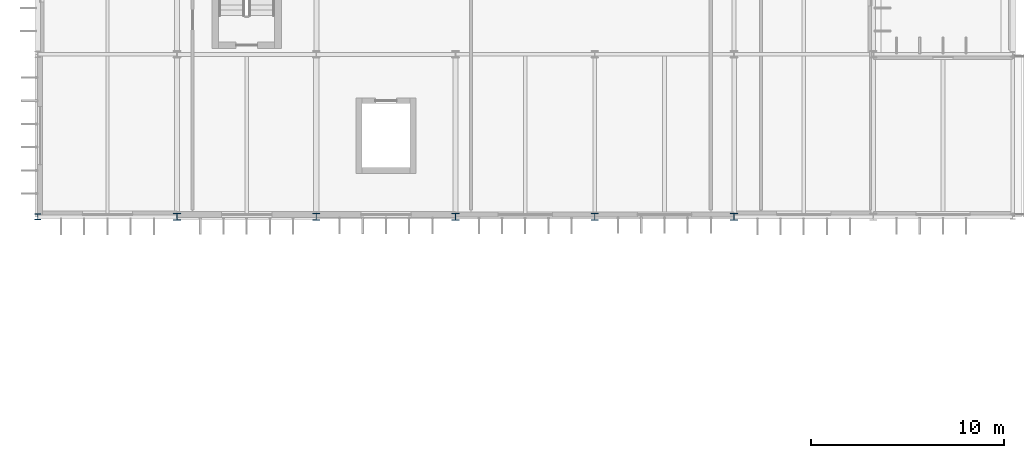
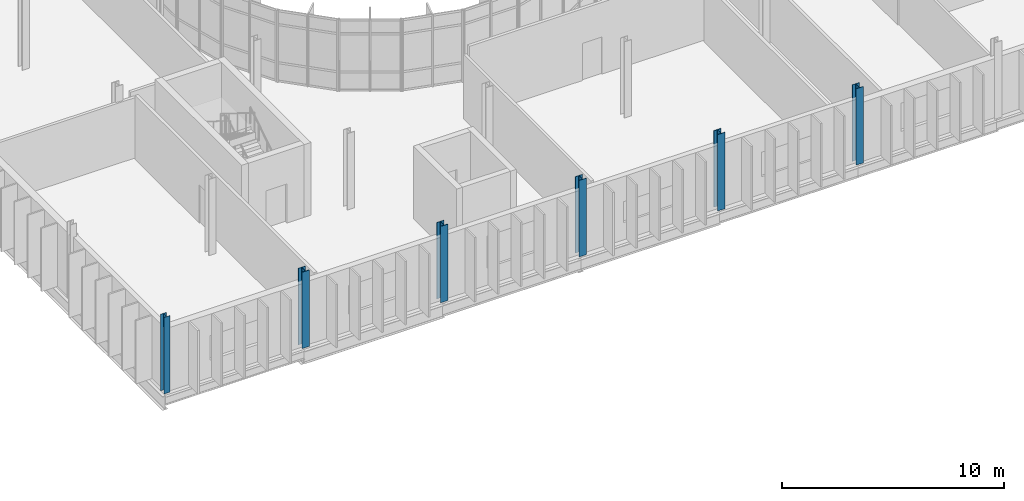
# One storey, part 1 of 99: 6 columns.
"""IFC4 building model written with IfcOpenShell, lengths in metres."""

import ifcopenshell
import ifcopenshell.guid

model = None  # the IFC model being written
_history = None  # IfcOwnerHistory: only IFC2X3 demands one
_inside = {}  # id of a spatial element -> (the spatial element, [elements in it])
_under = {}  # id of a project, library or spatial element -> (it, [spatial elements below it])
_declared = {}  # id of a project -> (the project, [libraries it declares])
_typed = {}  # id of a type object -> (the type object, [elements of that type])
_made_of = {}  # id of a material, layer set ... -> (it, [elements and type objects made of it])


def new_model(schema):
    """Start an empty IFC model of exactly this schema.

    Asked for "IFC4X3", IfcOpenShell would pick the latest addendum, in which some entities
    have other attributes; the version numbers below select the first issue.
    IFC2X3 requires an IfcOwnerHistory on every rooted entity: one is made here for all.
    """
    global model, _history
    if schema == "IFC4X3":
        model = ifcopenshell.file(schema_version=(4, 3, 0, 0))
    else:
        model = ifcopenshell.file(schema=schema)
    _inside.clear()
    _under.clear()
    _declared.clear()
    _typed.clear()
    _made_of.clear()
    _history = None
    if model.schema == "IFC2X3":
        org = make("IfcOrganization", Name="unknown")
        user = make(
            "IfcPersonAndOrganization",
            ThePerson=make("IfcPerson", FamilyName="unknown"),
            TheOrganization=org,
        )
        app = make(
            "IfcApplication",
            ApplicationDeveloper=org,
            Version="unknown",
            ApplicationFullName="unknown",
            ApplicationIdentifier="unknown",
        )
        _history = make(
            "IfcOwnerHistory",
            OwningUser=user,
            OwningApplication=app,
            ChangeAction="ADDED",
            CreationDate=0,
        )
    return model


def make(cls, **values):
    """One entity of the class cls with the attributes given. An attribute that is None is left unset."""
    return model.create_entity(
        cls, **{name: value for name, value in values.items() if value is not None}
    )


def rooted(cls, **values):
    """An entity with a GlobalId (a new one), such as an element, a storey or a relation."""
    return make(cls, GlobalId=ifcopenshell.guid.new(), OwnerHistory=_history, **values)


def si_unit(unit_type, name, prefix=None):
    """IfcSIUnit, for example si_unit("LENGTHUNIT", "METRE", prefix="MILLI")."""
    return make("IfcSIUnit", UnitType=unit_type, Prefix=prefix, Name=name)


def assignment(units):
    """IfcUnitAssignment: the units of a project."""
    return None if units is None else make("IfcUnitAssignment", Units=units)


def point(xyz):
    """IfcCartesianPoint."""
    return None if xyz is None else make("IfcCartesianPoint", Coordinates=xyz)


def direction(xyz):
    """IfcDirection."""
    return None if xyz is None else make("IfcDirection", DirectionRatios=xyz)


def frame(location, z_axis=None, x_axis=None):
    """IfcAxis2Placement3D, a coordinate frame: its origin and axes. An axis left out is left unset."""
    return make(
        "IfcAxis2Placement3D",
        Location=point(location),
        Axis=direction(z_axis),
        RefDirection=direction(x_axis),
    )


def frame_2d(location, x_axis=None):
    """IfcAxis2Placement2D, a coordinate frame in the plane: its origin and x axis."""
    return make(
        "IfcAxis2Placement2D", Location=point(location), RefDirection=direction(x_axis)
    )


def origin():
    """The frame at (0, 0, 0) with its axes left unset."""
    return frame((0.0, 0.0, 0.0))


def origin_2d():
    """The frame at (0, 0) in the plane with its x axis left unset."""
    return frame_2d((0.0, 0.0))


def place(relative_to, where):
    """IfcLocalPlacement: puts the frame where relative to a parent placement (None: the world)."""
    return make(
        "IfcLocalPlacement", PlacementRelTo=relative_to, RelativePlacement=where
    )


def context(
    kind, dimensions, precision=None, world=None, true_north=None, identifier=None
):
    """IfcGeometricRepresentationContext, for example the 3D "Model" context."""
    return make(
        "IfcGeometricRepresentationContext",
        ContextIdentifier=identifier,
        ContextType=kind,
        CoordinateSpaceDimension=dimensions,
        Precision=precision,
        WorldCoordinateSystem=world,
        TrueNorth=true_north,
    )


def subcontext(parent, identifier, kind, view, scale=None):
    """IfcGeometricRepresentationSubContext, for example "Body" below "Model"."""
    return make(
        "IfcGeometricRepresentationSubContext",
        ContextIdentifier=identifier,
        ContextType=kind,
        ParentContext=parent,
        TargetScale=scale,
        TargetView=view,
    )


def project(units=None, contexts=None):
    """IfcProject with its units and contexts."""
    return rooted(
        "IfcProject",
        Name="project",
        RepresentationContexts=contexts,
        UnitsInContext=assignment(units),
    )


def spatial(cls, under=None, at=None, **own):
    """A site, building, storey or space (cls), placed at a placement, below another one or the project."""
    s = rooted(cls, ObjectPlacement=at, **own)
    if under is not None:
        _under.setdefault(under.id(), (under, []))[1].append(s)
    return s


def profile(cls, at=None, kind="AREA", **sizes):
    """A parametric profile (cls). Its sizes go by their IFC names, for example OverallWidth=200.0."""
    return make(cls, ProfileType=kind, Position=at, **sizes)


def i_section(**sizes):
    """IfcIShapeProfileDef."""
    return profile("IfcIShapeProfileDef", **sizes)


def extrude(swept, where, along, depth):
    """IfcExtrudedAreaSolid: the profile swept, set in the frame where, extruded along a direction by depth."""
    return make(
        "IfcExtrudedAreaSolid",
        SweptArea=swept,
        Position=where,
        ExtrudedDirection=direction(along),
        Depth=depth,
    )


def shape(context_of_items, identifier, shape_type, items):
    """IfcShapeRepresentation: the items that make up one representation, for example the "Body"."""
    return make(
        "IfcShapeRepresentation",
        ContextOfItems=context_of_items,
        RepresentationIdentifier=identifier,
        RepresentationType=shape_type,
        Items=items,
    )


def material(Name=None, Category=None):
    """IfcMaterial."""
    return make("IfcMaterial", Name=Name, Category=Category)


def material_profile(
    of_material, cross_section, Name=None, Category=None, Priority=None
):
    """IfcMaterialProfile: a cross section and its material."""
    return make(
        "IfcMaterialProfile",
        Name=Name,
        Material=of_material,
        Profile=cross_section,
        Priority=Priority,
        Category=Category,
    )


def profile_set(profiles, Name=None, composite=None):
    """IfcMaterialProfileSet."""
    return make(
        "IfcMaterialProfileSet",
        Name=Name,
        MaterialProfiles=profiles,
        CompositeProfile=composite,
    )


def made_of(thing, what):
    """Note that an element or type object is made of a material, layer set ...; save() writes the relation."""
    if what is not None:
        _made_of.setdefault(what.id(), (what, []))[1].append(thing)
    return thing


def type_object(cls, material=None, **own):
    """A type object (cls), such as IfcWallType, which elements share."""
    return made_of(rooted(cls, **own), material)


def element(
    cls,
    number,
    at=None,
    inside=None,
    cuts=None,
    type_object=None,
    material=None,
    context=None,
    identifier="Body",
    shape_type=None,
    held_by="IfcProductDefinitionShape",
    body=None,
    shapes=None,
    **own,
):
    """One element of the class cls, such as IfcWall. Its Tag is "e" and its number.

    at: its placement. inside: the storey or other place that contains it. cuts: it is an
    opening in that element (IfcRelVoidsElement). A single representation is given by context,
    identifier, shape_type and body (its items); several are given by shapes. held_by: the class
    of the entity that holds the representations. save() writes the other relations.
    """
    e = rooted(cls, Tag="e%d" % number, ObjectPlacement=at, **own)
    if body is not None:
        shapes = [shape(context, identifier, shape_type, body)]
    if shapes is not None:
        e.Representation = make(held_by, Representations=shapes)
    if inside is not None:
        _inside.setdefault(inside.id(), (inside, []))[1].append(e)
    if cuts is not None:
        rooted(
            "IfcRelVoidsElement", RelatingBuildingElement=cuts, RelatedOpeningElement=e
        )
    if type_object is not None:
        _typed.setdefault(type_object.id(), (type_object, []))[1].append(e)
    return made_of(e, material)


def aggregate(whole, parts):
    """IfcRelAggregates: a whole, such as a stair, and the parts it consists of."""
    return rooted("IfcRelAggregates", RelatingObject=whole, RelatedObjects=parts)


def save(model, path):
    """Write the relations noted so far, then the file.

    IfcRelAggregates (storeys below a building ...), IfcRelContainedInSpatialStructure (elements
    in a storey), IfcRelDefinesByType, IfcRelAssociatesMaterial and IfcRelDeclares: one each for
    every whole, place, type object, material and project.
    """
    for whole, parts in _under.values():
        aggregate(whole, parts)
    for where, things in _inside.values():
        rooted(
            "IfcRelContainedInSpatialStructure",
            RelatedElements=things,
            RelatingStructure=where,
        )
    for kind, things in _typed.values():
        rooted("IfcRelDefinesByType", RelatedObjects=things, RelatingType=kind)
    for what, things in _made_of.values():
        rooted("IfcRelAssociatesMaterial", RelatedObjects=things, RelatingMaterial=what)
    for by, libraries in _declared.values():
        rooted("IfcRelDeclares", RelatingContext=by, RelatedDefinitions=libraries)
    model.write(path)


model = new_model("IFC4")

# Units and contexts
model_context = context("Model", 3, precision=1e-05, world=origin(), true_north=direction((0.0, 1.0)))
body_context = subcontext(model_context, "Body", "Model", "MODEL_VIEW")
ifc_project = project(units=[si_unit("LENGTHUNIT", "METRE"), si_unit("AREAUNIT", "SQUARE_METRE"), si_unit("VOLUMEUNIT", "CUBIC_METRE"), si_unit("PLANEANGLEUNIT", "RADIAN"), si_unit("MASSUNIT", "GRAM", prefix="KILO")], contexts=[model_context])

# Site, building, storey
site_placement = place(None, origin())
site = spatial("IfcSite", under=ifc_project, at=site_placement, CompositionType="ELEMENT")
building_placement = place(site_placement, origin())
building = spatial("IfcBuilding", under=site, at=building_placement, Name="Qelthora Terrace Specialist Clinic", CompositionType="ELEMENT")
storey_placement = place(building_placement, frame((0.0, 0.0, 9.0)))
storey = spatial("IfcBuildingStorey", under=building, at=storey_placement, Name="L02", CompositionType="ELEMENT", Elevation=9.0)

# Columns
ifc_material = material(Name="Steel S355", Category="steel")
ifc_material_profile_1 = material_profile(ifc_material, i_section(OverallWidth=0.304931640625, OverallDepth=0.30810546875, WebThickness=0.010009765625, FlangeThickness=0.015380859375, FilletRadius=0.014892578125, at=origin_2d()), Name="W310X97")
ifc_profile_set_1 = profile_set([ifc_material_profile_1], Name="Steel S355")
column_type_1 = type_object("IfcColumnType", Name="COL-W310X97", PredefinedType="COLUMN", material=ifc_profile_set_1)
column_1_placement = place(storey_placement, frame((0.0, 58.800048828125, 0.0), z_axis=(0.0, 0.0, 1.0), x_axis=(1.0, 0.0, 0.0)))
element("IfcColumn", 1, at=column_1_placement, inside=storey, type_object=column_type_1, Name="Column L02-008", PredefinedType="COLUMN", context=body_context, shape_type="SweptSolid", body=[
    extrude(i_section(OverallWidth=0.304931640625, OverallDepth=0.30810546875, WebThickness=0.010009765625, FlangeThickness=0.015380859375, FilletRadius=0.014892578125, at=origin_2d()), origin(), (0.0, 0.0, 1.0), 4.199951171875),
])
ifc_material_profile_2 = material_profile(ifc_material, i_section(OverallWidth=0.37109375, OverallDepth=0.364013671875, WebThickness=0.01318359375, FlangeThickness=0.021728515625, FilletRadius=0.02001953125, at=origin_2d()), Name="W360X162")
ifc_profile_set_2 = profile_set([ifc_material_profile_2], Name="Steel S355")
column_type_2 = type_object("IfcColumnType", Name="COL-W360X162", PredefinedType="COLUMN", material=ifc_profile_set_2)
column_2_placement = place(storey_placement, frame((21.60009765625, 58.800048828125, 0.0), z_axis=(0.0, 0.0, 1.0), x_axis=(1.0, 0.0, 0.0)))
element("IfcColumn", 2, at=column_2_placement, inside=storey, type_object=column_type_2, Name="Column L02-050", PredefinedType="COLUMN", context=body_context, shape_type="SweptSolid", body=[
    extrude(i_section(OverallWidth=0.37109375, OverallDepth=0.364013671875, WebThickness=0.01318359375, FlangeThickness=0.021728515625, FilletRadius=0.02001953125, at=origin_2d()), origin(), (0.0, 0.0, 1.0), 4.199951171875),
])
ifc_material_profile_3 = material_profile(ifc_material, i_section(OverallWidth=0.373046875, OverallDepth=0.367919921875, WebThickness=0.014892578125, FlangeThickness=0.02392578125, FilletRadius=0.02001953125, at=origin_2d()), Name="W360X179")
ifc_profile_set_3 = profile_set([ifc_material_profile_3], Name="Steel S355")
column_type_3 = type_object("IfcColumnType", Name="COL-W360X179", PredefinedType="COLUMN", material=ifc_profile_set_3)
for number, where, z_axis, x_axis, name in (
    (3, (7.199951171875, 58.800048828125, 0.0), (0.0, 0.0, 1.0), (1.0, 0.0, 0.0), "Column L02-022"),
    (4, (28.800048828125, 58.800048828125, 0.0), (0.0, 0.0, 1.0), (1.0, 0.0, 0.0), "Column L02-061"),
):
    element("IfcColumn", number, at=place(storey_placement, frame(where, z_axis=z_axis, x_axis=x_axis)), inside=storey, type_object=column_type_3, Name=name, PredefinedType="COLUMN", context=body_context, shape_type="SweptSolid", body=[
        extrude(i_section(OverallWidth=0.373046875, OverallDepth=0.367919921875, WebThickness=0.014892578125, FlangeThickness=0.02392578125, FilletRadius=0.02001953125, at=origin_2d()), origin(), (0.0, 0.0, 1.0), 4.199951171875),
    ])
ifc_material_profile_4 = material_profile(ifc_material, i_section(OverallWidth=0.3740234375, OverallDepth=0.3720703125, WebThickness=0.016357421875, FlangeThickness=0.026123046875, FilletRadius=0.02001953125, at=origin_2d()), Name="W360X196")
ifc_profile_set_4 = profile_set([ifc_material_profile_4], Name="Steel S355")
column_type_4 = type_object("IfcColumnType", Name="COL-W360X196", PredefinedType="COLUMN", material=ifc_profile_set_4)
for number, where, z_axis, x_axis, name in (
    (5, (14.39990234375, 58.800048828125, 0.0), (0.0, 0.0, 1.0), (1.0, 0.0, 0.0), "Column L02-036"),
    (6, (36.0, 58.800048828125, 0.0), (0.0, 0.0, 1.0), (1.0, 0.0, 0.0), "Column L02-072"),
):
    element("IfcColumn", number, at=place(storey_placement, frame(where, z_axis=z_axis, x_axis=x_axis)), inside=storey, type_object=column_type_4, Name=name, PredefinedType="COLUMN", context=body_context, shape_type="SweptSolid", body=[
        extrude(i_section(OverallWidth=0.3740234375, OverallDepth=0.3720703125, WebThickness=0.016357421875, FlangeThickness=0.026123046875, FilletRadius=0.02001953125, at=origin_2d()), origin(), (0.0, 0.0, 1.0), 4.199951171875),
    ])

save(model, "model.ifc")
